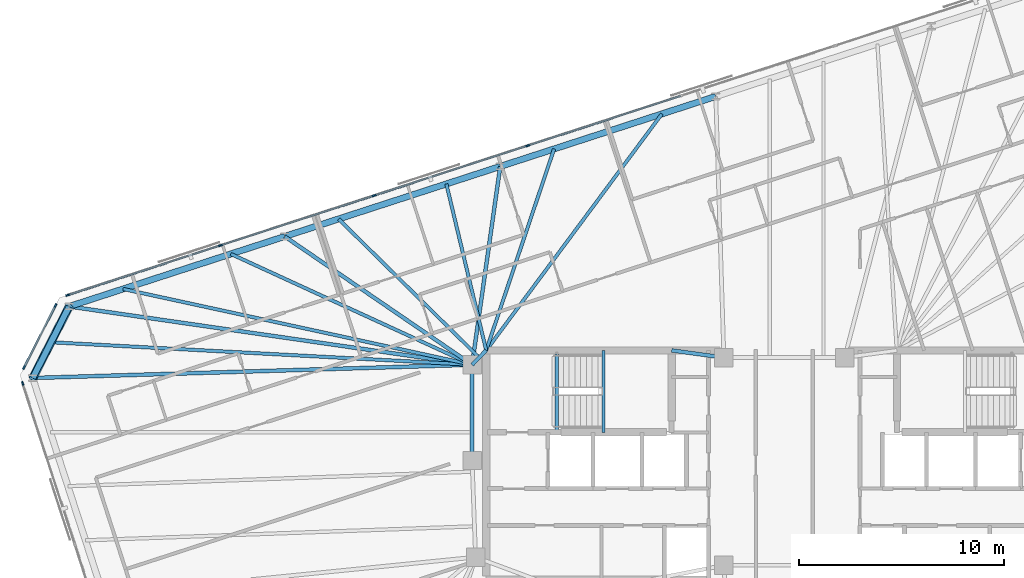
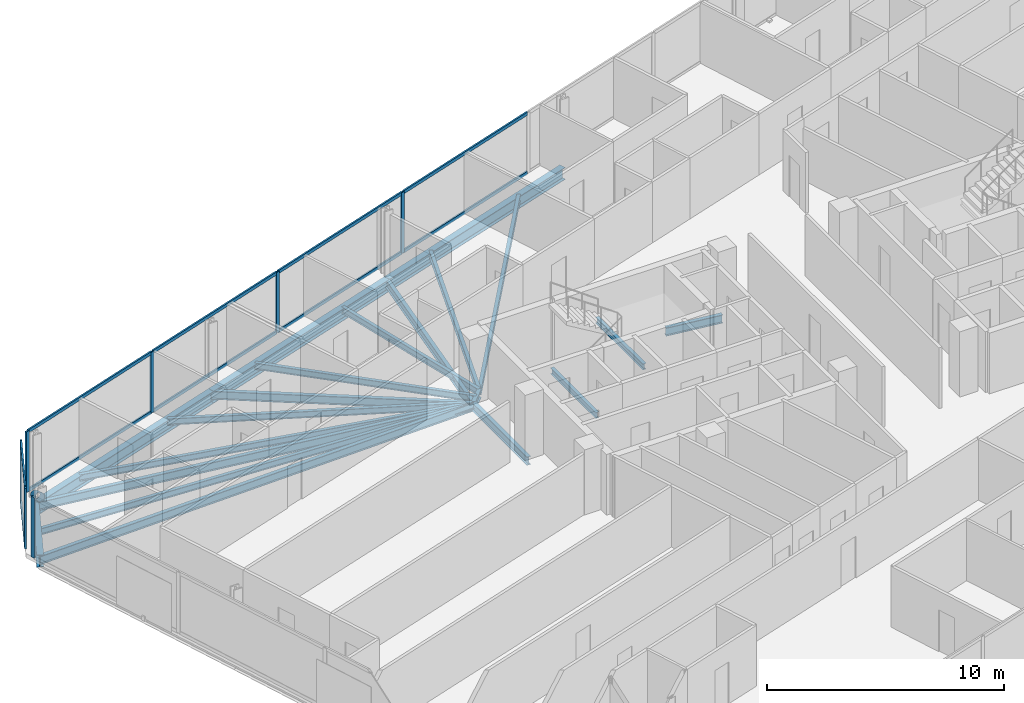
# One storey, part 9 of 20: 20 beams, 18 members, 3 elements without a shape of their own.
"""IFC4 building model written with IfcOpenShell, lengths in metres."""

from ifc_helpers import new_model, si_unit, direction, frame, origin, origin_2d, place, context, subcontext, project, spatial, rectangle, hollow_circle, i_section, extrude, material, material_profile, profile_set, type_object, element, aggregate, save


model = new_model("IFC4")

# Units and contexts
model_context = context("Model", 3, precision=1e-05, world=origin(), true_north=direction((0.0, 1.0)))
body_context = subcontext(model_context, "Body", "Model", "MODEL_VIEW")
ifc_project = project(units=[si_unit("LENGTHUNIT", "METRE"), si_unit("AREAUNIT", "SQUARE_METRE"), si_unit("VOLUMEUNIT", "CUBIC_METRE"), si_unit("PLANEANGLEUNIT", "RADIAN"), si_unit("MASSUNIT", "GRAM", prefix="KILO")], contexts=[model_context])

# Site, building, storey
site_placement = place(None, origin())
site = spatial("IfcSite", under=ifc_project, at=site_placement, CompositionType="ELEMENT")
building_placement = place(site_placement, origin())
building = spatial("IfcBuilding", under=site, at=building_placement, Name="Menara Jurai Vektor", CompositionType="ELEMENT")
storey_placement = place(building_placement, frame((0.0, 0.0, 244.39990234375)))
storey = spatial("IfcBuildingStorey", under=building, at=storey_placement, Name="L65", CompositionType="ELEMENT", Elevation=244.39990234375)

# Curtain wall, members
ifc_material_1 = material(Name="Anodised Pale Aluminium & Low-E Double Glazing", Category="aluminium")
curtain_wall_type = type_object("IfcCurtainWallType", Name="CW-BLK4", PredefinedType="NOTDEFINED", material=ifc_material_1)
curtain_wall_1_placement = place(storey_placement, origin())
curtain_wall_1 = element("IfcCurtainWall", 1, at=curtain_wall_1_placement, inside=storey, type_object=curtain_wall_type, Name="Unitised Curtain Wall L65 F05", PredefinedType="NOTDEFINED")
ifc_material_2 = material(Name="Anodised Pale Aluminium Mullion", Category="aluminium")
ifc_material_profile_1 = material_profile(ifc_material_2, rectangle(XDim=0.080078125, YDim=0.18994140625, at=origin_2d()), Name="ALU MUL 80x190")
ifc_profile_set_1 = profile_set([ifc_material_profile_1], Name="Anodised Pale Aluminium Mullion")
member_type_1 = type_object("IfcMemberType", Name="CW-BLK4-MUL", PredefinedType="MULLION", material=ifc_profile_set_1)
member_1_placement = place(storey_placement, frame((-12.532958984375, 15.601806640625, 0.0), z_axis=(0.0, 0.0, 1.0), x_axis=(0.309017344167, -0.951056402641, 0.0)))
member_1 = element("IfcMember", 2, at=member_1_placement, type_object=member_type_1, Name="CW-04 mullion 5", PredefinedType="MULLION", context=body_context, shape_type="SweptSolid", body=[
    extrude(rectangle(XDim=0.080078125, YDim=0.18994140625, at=origin_2d()), origin(), (0.0, 0.0, 1.0), 3.125),
])
member_2_placement = place(storey_placement, frame((-20.0380859375, 13.163330078125, 0.0), z_axis=(0.0, 0.0, 1.0), x_axis=(0.309017344167, -0.951056402641, 0.0)))
member_2 = element("IfcMember", 3, at=member_2_placement, type_object=member_type_1, Name="CW-04 mullion 6", PredefinedType="MULLION", context=body_context, shape_type="SweptSolid", body=[
    extrude(rectangle(XDim=0.080078125, YDim=0.18994140625, at=origin_2d()), origin(), (0.0, 0.0, 1.0), 3.125),
])
member_3_placement = place(storey_placement, frame((-27.543212890625, 10.724609375, 0.0), z_axis=(0.0, 0.0, 1.0), x_axis=(0.309017344167, -0.951056402641, 0.0)))
member_3 = element("IfcMember", 4, at=member_3_placement, type_object=member_type_1, Name="CW-04 mullion 7", PredefinedType="MULLION", context=body_context, shape_type="SweptSolid", body=[
    extrude(rectangle(XDim=0.080078125, YDim=0.18994140625, at=origin_2d()), origin(), (0.0, 0.0, 1.0), 3.125),
])
member_4_placement = place(storey_placement, frame((-35.010498046875, 8.29833984375, 0.0), z_axis=(0.0, 0.0, 1.0), x_axis=(0.309017344167, -0.951056402641, 0.0)))
member_4 = element("IfcMember", 5, at=member_4_placement, type_object=member_type_1, Name="CW-04 mullion 8", PredefinedType="MULLION", context=body_context, shape_type="SweptSolid", body=[
    extrude(rectangle(XDim=0.080078125, YDim=0.18994140625, at=origin_2d()), origin(), (0.0, 0.0, 1.0), 3.125),
])

curtain_wall_2_placement = place(storey_placement, origin())
curtain_wall_2 = element("IfcCurtainWall", 6, at=curtain_wall_2_placement, inside=storey, type_object=curtain_wall_type, Name="Unitised Curtain Wall L65 F06", PredefinedType="NOTDEFINED")
member_5_placement = place(storey_placement, frame((-35.6005859375, 7.79443359375, 0.0), z_axis=(0.0, 0.0, 1.0), x_axis=(0.89100750243, -0.453988579828, 0.0)))
member_5 = element("IfcMember", 7, at=member_5_placement, type_object=member_type_1, Name="CW-04 mullion 1", PredefinedType="MULLION", context=body_context, shape_type="SweptSolid", body=[
    extrude(rectangle(XDim=0.080078125, YDim=0.18994140625, at=origin_2d()), origin(), (0.0, 0.0, 1.0), 3.125),
])
member_6_placement = place(storey_placement, frame((-37.145263671875, 4.7626953125, 0.0), z_axis=(0.0, 0.0, 1.0), x_axis=(0.89100750243, -0.453988579828, 0.0)))
member_6 = element("IfcMember", 8, at=member_6_placement, type_object=member_type_1, Name="CW-04 mullion 2", PredefinedType="MULLION", context=body_context, shape_type="SweptSolid", body=[
    extrude(rectangle(XDim=0.080078125, YDim=0.18994140625, at=origin_2d()), origin(), (0.0, 0.0, 1.0), 3.125),
])

# Curtain wall, member
curtain_wall_3_placement = place(storey_placement, origin())
curtain_wall_3 = element("IfcCurtainWall", 9, at=curtain_wall_3_placement, inside=storey, type_object=curtain_wall_type, Name="Unitised Curtain Wall L65 F07", PredefinedType="NOTDEFINED")
member_7_placement = place(storey_placement, frame((-37.206298828125, 3.989013671875, 0.0), z_axis=(0.0, 0.0, 1.0), x_axis=(0.95105668295, 0.309016481464, 0.0)))
member_7 = element("IfcMember", 10, at=member_7_placement, type_object=member_type_1, Name="CW-04 mullion 1", PredefinedType="MULLION", context=body_context, shape_type="SweptSolid", body=[
    extrude(rectangle(XDim=0.080078125, YDim=0.18994140625, at=origin_2d()), origin(), (0.0, 0.0, 1.0), 3.125),
])
aggregate(curtain_wall_3, [member_7])

# Member
ifc_material_3 = material(Name="Anodised Pale Aluminium Transom", Category="aluminium")
ifc_material_profile_2 = material_profile(ifc_material_3, rectangle(XDim=0.080078125, YDim=0.1650390625, at=origin_2d()), Name="ALU TRN 80x165")
ifc_profile_set_2 = profile_set([ifc_material_profile_2], Name="Anodised Pale Aluminium Transom")
member_type_2 = type_object("IfcMemberType", Name="CW-BLK4-TRN", PredefinedType="USERDEFINED", material=ifc_profile_set_2)
member_8_placement = place(storey_placement, frame((-5.06591796875, 18.028076171875, 0.0400390625), z_axis=(-0.95105634578, -0.309017519167, 0.0), x_axis=(0.309017519167, -0.95105634578, 0.0)))
member_8 = element("IfcMember", 11, at=member_8_placement, type_object=member_type_2, Name="CW-04 transom 4.1", ObjectType="TRANSOM", PredefinedType="USERDEFINED", context=body_context, shape_type="SweptSolid", body=[
    extrude(rectangle(XDim=0.080078125, YDim=0.1650390625, at=origin_2d()), origin(), (0.0, 0.0, 1.0), 7.811279296875),
])

member_9_placement = place(storey_placement, frame((-5.06591796875, 18.028076171875, 3.085205078125), z_axis=(-0.95105634578, -0.309017519167, 0.0), x_axis=(0.309017519167, -0.95105634578, 0.0)))
member_9 = element("IfcMember", 12, at=member_9_placement, type_object=member_type_2, Name="CW-04 transom 4.2", ObjectType="TRANSOM", PredefinedType="USERDEFINED", context=body_context, shape_type="SweptSolid", body=[
    extrude(rectangle(XDim=0.080078125, YDim=0.1650390625, at=origin_2d()), origin(), (0.0, 0.0, 1.0), 7.811279296875),
])

member_10_placement = place(storey_placement, frame((-12.571044921875, 15.589599609375, 0.0400390625), z_axis=(-0.95104715984, -0.309045789099, 0.0), x_axis=(0.309045789099, -0.95104715984, 0.0)))
member_10 = element("IfcMember", 13, at=member_10_placement, type_object=member_type_2, Name="CW-04 transom 5.1", ObjectType="TRANSOM", PredefinedType="USERDEFINED", context=body_context, shape_type="SweptSolid", body=[
    extrude(rectangle(XDim=0.080078125, YDim=0.1650390625, at=origin_2d()), origin(), (0.0, 0.0, 1.0), 7.811279296875),
])

member_11_placement = place(storey_placement, frame((-12.571044921875, 15.589599609375, 3.085205078125), z_axis=(-0.95104715984, -0.309045789099, 0.0), x_axis=(0.309045789099, -0.95104715984, 0.0)))
member_11 = element("IfcMember", 14, at=member_11_placement, type_object=member_type_2, Name="CW-04 transom 5.2", ObjectType="TRANSOM", PredefinedType="USERDEFINED", context=body_context, shape_type="SweptSolid", body=[
    extrude(rectangle(XDim=0.080078125, YDim=0.1650390625, at=origin_2d()), origin(), (0.0, 0.0, 1.0), 7.811279296875),
])

member_12_placement = place(storey_placement, frame((-20.076171875, 13.15087890625, 0.0400390625), z_axis=(-0.951059330237, -0.309008333817, 0.0), x_axis=(0.309008333817, -0.951059330237, 0.0)))
member_12 = element("IfcMember", 15, at=member_12_placement, type_object=member_type_2, Name="CW-04 transom 6.1", ObjectType="TRANSOM", PredefinedType="USERDEFINED", context=body_context, shape_type="SweptSolid", body=[
    extrude(rectangle(XDim=0.080078125, YDim=0.1650390625, at=origin_2d()), origin(), (0.0, 0.0, 1.0), 7.8115234375),
])

member_13_placement = place(storey_placement, frame((-20.076171875, 13.15087890625, 3.085205078125), z_axis=(-0.951059330237, -0.309008333817, 0.0), x_axis=(0.309008333817, -0.951059330237, 0.0)))
member_13 = element("IfcMember", 16, at=member_13_placement, type_object=member_type_2, Name="CW-04 transom 6.2", ObjectType="TRANSOM", PredefinedType="USERDEFINED", context=body_context, shape_type="SweptSolid", body=[
    extrude(rectangle(XDim=0.080078125, YDim=0.1650390625, at=origin_2d()), origin(), (0.0, 0.0, 1.0), 7.8115234375),
])

member_14_placement = place(storey_placement, frame((-27.581298828125, 10.71240234375, 0.0400390625), z_axis=(-0.951052997543, -0.309027823771, 0.0), x_axis=(0.309027823771, -0.951052997543, 0.0)))
member_14 = element("IfcMember", 17, at=member_14_placement, type_object=member_type_2, Name="CW-04 transom 7.1", ObjectType="TRANSOM", PredefinedType="USERDEFINED", context=body_context, shape_type="SweptSolid", body=[
    extrude(rectangle(XDim=0.080078125, YDim=0.1650390625, at=origin_2d()), origin(), (0.0, 0.0, 1.0), 7.771484375),
])

member_15_placement = place(storey_placement, frame((-27.581298828125, 10.71240234375, 3.085205078125), z_axis=(-0.951052997543, -0.309027823771, 0.0), x_axis=(0.309027823771, -0.951052997543, 0.0)))
member_15 = element("IfcMember", 18, at=member_15_placement, type_object=member_type_2, Name="CW-04 transom 7.2", ObjectType="TRANSOM", PredefinedType="USERDEFINED", context=body_context, shape_type="SweptSolid", body=[
    extrude(rectangle(XDim=0.080078125, YDim=0.1650390625, at=origin_2d()), origin(), (0.0, 0.0, 1.0), 7.771484375),
])

aggregate(curtain_wall_1, [member_1, member_2, member_3, member_4, member_8, member_9, member_10, member_11, member_12, member_13, member_14, member_15])

member_16_placement = place(storey_placement, frame((-35.61865234375, 7.7587890625, 0.0400390625), z_axis=(-0.454019339544, -0.890991828986, 0.0), x_axis=(0.890991828986, -0.454019339544, 0.0)))
member_16 = element("IfcMember", 19, at=member_16_placement, type_object=member_type_2, Name="CW-04 transom 1.1", ObjectType="TRANSOM", PredefinedType="USERDEFINED", context=body_context, shape_type="SweptSolid", body=[
    extrude(rectangle(XDim=0.080078125, YDim=0.1650390625, at=origin_2d()), origin(), (0.0, 0.0, 1.0), 3.32275390625),
])

member_17_placement = place(storey_placement, frame((-35.61865234375, 7.7587890625, 3.085205078125), z_axis=(-0.454019339544, -0.890991828986, 0.0), x_axis=(0.890991828986, -0.454019339544, 0.0)))
member_17 = element("IfcMember", 20, at=member_17_placement, type_object=member_type_2, Name="CW-04 transom 1.2", ObjectType="TRANSOM", PredefinedType="USERDEFINED", context=body_context, shape_type="SweptSolid", body=[
    extrude(rectangle(XDim=0.080078125, YDim=0.1650390625, at=origin_2d()), origin(), (0.0, 0.0, 1.0), 3.32275390625),
])

aggregate(curtain_wall_2, [member_5, member_6, member_16, member_17])

# Beams
ifc_material_4 = material(Name="Steel S355", Category="steel")
ifc_material_profile_3 = material_profile(ifc_material_4, i_section(OverallWidth=0.18505859375, OverallDepth=0.429931640625, WebThickness=0.010986328125, FlangeThickness=0.01806640625, at=origin_2d()), Name="PG 430x185x76")
ifc_profile_set_3 = profile_set([ifc_material_profile_3], Name="Steel S355")
beam_type_1 = type_object("IfcBeamType", Name="STR-BM-430", PredefinedType="BEAM", material=ifc_profile_set_3)
beam_1_placement = place(storey_placement, frame((-15.25, 4.89990234375, -0.43994140625), z_axis=(0.701871936926, 0.712303154672, 0.0), x_axis=(-0.712303154672, 0.701871936926, 0.0)))
element("IfcBeam", 21, at=beam_1_placement, inside=storey, type_object=beam_type_1, Name="Core Ring Header Girder L65-CHW-N1", PredefinedType="BEAM", context=body_context, shape_type="SweptSolid", body=[
    extrude(i_section(OverallWidth=0.18505859375, OverallDepth=0.429931640625, WebThickness=0.010986328125, FlangeThickness=0.01806640625, at=origin_2d()), origin(), (0.0, 0.0, 1.0), 0.98291015625),
])
beam_2_placement = place(storey_placement, frame((-5.5, 5.60009765625, -0.43994140625), z_axis=(0.990706818608, -0.136014703483, 0.0), x_axis=(0.136014703483, 0.990706818608, 0.0)))
element("IfcBeam", 22, at=beam_2_placement, inside=storey, type_object=beam_type_1, Name="Core Ring Header Girder L65-CHW-N2", PredefinedType="BEAM", context=body_context, shape_type="SweptSolid", body=[
    extrude(i_section(OverallWidth=0.18505859375, OverallDepth=0.429931640625, WebThickness=0.010986328125, FlangeThickness=0.01806640625, at=origin_2d()), origin(), (0.0, 0.0, 1.0), 2.573974609375),
])
beam_3_placement = place(storey_placement, frame((-15.25, 0.219970703125, -0.43994140625), z_axis=(0.0, 1.0, 0.0), x_axis=(-1.0, 0.0, 0.0)))
element("IfcBeam", 23, at=beam_3_placement, inside=storey, type_object=beam_type_1, Name="Core Ring Header Girder L65-CHW-W1", PredefinedType="BEAM", context=body_context, shape_type="SweptSolid", body=[
    extrude(i_section(OverallWidth=0.18505859375, OverallDepth=0.429931640625, WebThickness=0.010986328125, FlangeThickness=0.01806640625, at=origin_2d()), origin(), (0.0, 0.0, 1.0), 4.679931640625),
])
beam_4_placement = place(storey_placement, frame((-13.875, 14.58740234375, -0.43994140625), z_axis=(-0.140527035582, -0.990076841599, 0.0), x_axis=(0.990076841599, -0.140527035582, 0.0)))
element("IfcBeam", 24, at=beam_4_placement, inside=storey, type_object=beam_type_1, Name="Radial Floor Girder L65-N4", PredefinedType="BEAM", context=body_context, shape_type="SweptSolid", body=[
    extrude(i_section(OverallWidth=0.18505859375, OverallDepth=0.429931640625, WebThickness=0.010986328125, FlangeThickness=0.01806640625, at=origin_2d()), origin(), (0.0, 0.0, 1.0), 9.78466796875),
])
beam_5_placement = place(storey_placement, frame((-24.404296875, 11.166259765625, -0.43994140625), z_axis=(0.825185786768, -0.564861414257, 0.0), x_axis=(0.564861414257, 0.825185786768, 0.0)))
element("IfcBeam", 25, at=beam_5_placement, inside=storey, type_object=beam_type_1, Name="Radial Floor Girder L65-N5", PredefinedType="BEAM", context=body_context, shape_type="SweptSolid", body=[
    extrude(i_section(OverallWidth=0.18505859375, OverallDepth=0.429931640625, WebThickness=0.010986328125, FlangeThickness=0.01806640625, at=origin_2d()), origin(), (0.0, 0.0, 1.0), 11.093505859375),
])
beam_6_placement = place(storey_placement, frame((-34.93359375, 7.7451171875, -0.43994140625), z_axis=(0.989713916117, -0.14306070126, 0.0), x_axis=(0.14306070126, 0.989713916117, 0.0)))
element("IfcBeam", 26, at=beam_6_placement, inside=storey, type_object=beam_type_1, Name="Radial Floor Girder L65-N6", PredefinedType="BEAM", context=body_context, shape_type="SweptSolid", body=[
    extrude(i_section(OverallWidth=0.18505859375, OverallDepth=0.429931640625, WebThickness=0.010986328125, FlangeThickness=0.01806640625, at=origin_2d()), origin(), (0.0, 0.0, 1.0), 19.88818359375),
])
beam_7_placement = place(storey_placement, frame((-36.71337890625, 4.251953125, -0.43994140625), z_axis=(0.999544635638, 0.030174846589, 0.0), x_axis=(-0.030174846589, 0.999544635638, 0.0)))
element("IfcBeam", 27, at=beam_7_placement, inside=storey, type_object=beam_type_1, Name="Radial Floor Girder L65-W1", PredefinedType="BEAM", context=body_context, shape_type="SweptSolid", body=[
    extrude(i_section(OverallWidth=0.18505859375, OverallDepth=0.429931640625, WebThickness=0.010986328125, FlangeThickness=0.01806640625, at=origin_2d()), origin(), (0.0, 0.0, 1.0), 21.47314453125),
])

# Member
ifc_material_5 = material(Name="Steel S460", Category="steel")
ifc_material_profile_4 = material_profile(ifc_material_5, hollow_circle(Radius=0.203125, WallThickness=0.01611328125, at=origin_2d()), Name="CHS 406.4x16")
ifc_profile_set_4 = profile_set([ifc_material_profile_4], Name="Steel S460")
member_type_3 = type_object("IfcMemberType", Name="STR-BR-406", PredefinedType="BRACE", material=ifc_profile_set_4)
member_18_placement = place(storey_placement, frame((-34.93359375, 7.7451171875, 0.150146484375), z_axis=(-0.377225079071, -0.740375367811, 0.556368182465), x_axis=(0.891013832566, -0.453976155955, 0.0)))
element("IfcMember", 28, at=member_18_placement, inside=storey, type_object=member_type_3, Name="Exoskeleton Corner Brace L65-3", PredefinedType="BRACE", context=body_context, shape_type="SweptSolid", body=[
    extrude(hollow_circle(Radius=0.203125, WallThickness=0.01611328125, at=origin_2d()), origin(), (0.0, 0.0, 1.0), 4.718017578125),
])

# Beams
ifc_material_profile_5 = material_profile(ifc_material_4, i_section(OverallWidth=0.1650390625, OverallDepth=0.330078125, WebThickness=0.009033203125, FlangeThickness=0.013916015625, at=origin_2d()), Name="PG 330x165x46")
ifc_profile_set_5 = profile_set([ifc_material_profile_5], Name="Steel S355")
beam_type_2 = type_object("IfcBeamType", Name="STR-JS-330", PredefinedType="JOIST", material=ifc_profile_set_5)
beam_8_placement = place(storey_placement, frame((-5.97802734375, 17.1533203125, -0.389892578125), z_axis=(-0.59630776033, -0.802755912448, 0.0), x_axis=(0.802755912448, -0.59630776033, 0.0)))
element("IfcBeam", 29, at=beam_8_placement, inside=storey, type_object=beam_type_2, Name="Radial Secondary Floor Joist L65-JS21", PredefinedType="JOIST", context=body_context, shape_type="SweptSolid", body=[
    extrude(i_section(OverallWidth=0.1650390625, OverallDepth=0.330078125, WebThickness=0.009033203125, FlangeThickness=0.013916015625, at=origin_2d()), origin(), (0.0, 0.0, 1.0), 14.391845703125),
])
beam_9_placement = place(storey_placement, frame((-11.24267578125, 15.44287109375, -0.389892578125), z_axis=(-0.319385076217, -0.94762501713, 0.0), x_axis=(0.94762501713, -0.319385076217, 0.0)))
element("IfcBeam", 30, at=beam_9_placement, inside=storey, type_object=beam_type_2, Name="Radial Secondary Floor Joist L65-JS22", PredefinedType="JOIST", context=body_context, shape_type="SweptSolid", body=[
    extrude(i_section(OverallWidth=0.1650390625, OverallDepth=0.330078125, WebThickness=0.009033203125, FlangeThickness=0.013916015625, at=origin_2d()), origin(), (0.0, 0.0, 1.0), 10.38671875),
])
beam_10_placement = place(storey_placement, frame((-16.50732421875, 13.732177734375, -0.389892578125), z_axis=(0.23287158907, -0.972507492518, 0.0), x_axis=(0.972507492518, 0.23287158907, 0.0)))
element("IfcBeam", 31, at=beam_10_placement, inside=storey, type_object=beam_type_2, Name="Radial Secondary Floor Joist L65-JS23", PredefinedType="JOIST", context=body_context, shape_type="SweptSolid", body=[
    extrude(i_section(OverallWidth=0.1650390625, OverallDepth=0.330078125, WebThickness=0.009033203125, FlangeThickness=0.013916015625, at=origin_2d()), origin(), (0.0, 0.0, 1.0), 8.362060546875),
])
beam_11_placement = place(storey_placement, frame((-21.77197265625, 12.021484375, -0.389892578125), z_axis=(0.7121893722, -0.701987391714, 0.0), x_axis=(0.701987391714, 0.7121893722, 0.0)))
element("IfcBeam", 32, at=beam_11_placement, inside=storey, type_object=beam_type_2, Name="Radial Secondary Floor Joist L65-JS24", PredefinedType="JOIST", context=body_context, shape_type="SweptSolid", body=[
    extrude(i_section(OverallWidth=0.1650390625, OverallDepth=0.330078125, WebThickness=0.009033203125, FlangeThickness=0.013916015625, at=origin_2d()), origin(), (0.0, 0.0, 1.0), 9.64404296875),
])
beam_12_placement = place(storey_placement, frame((-27.03662109375, 10.31103515625, -0.389892578125), z_axis=(0.908803804095, -0.417223735738, 0.0), x_axis=(0.417223735738, 0.908803804095, 0.0)))
element("IfcBeam", 33, at=beam_12_placement, inside=storey, type_object=beam_type_2, Name="Radial Secondary Floor Joist L65-JS25", PredefinedType="JOIST", context=body_context, shape_type="SweptSolid", body=[
    extrude(i_section(OverallWidth=0.1650390625, OverallDepth=0.330078125, WebThickness=0.009033203125, FlangeThickness=0.013916015625, at=origin_2d()), origin(), (0.0, 0.0, 1.0), 12.969482421875),
])
beam_13_placement = place(storey_placement, frame((-32.30126953125, 8.600341796875, -0.389892578125), z_axis=(0.977251946396, -0.212081666498, 0.0), x_axis=(0.212081666498, 0.977251946396, 0.0)))
element("IfcBeam", 34, at=beam_13_placement, inside=storey, type_object=beam_type_2, Name="Radial Secondary Floor Joist L65-JS26", PredefinedType="JOIST", context=body_context, shape_type="SweptSolid", body=[
    extrude(i_section(OverallWidth=0.1650390625, OverallDepth=0.330078125, WebThickness=0.009033203125, FlangeThickness=0.013916015625, at=origin_2d()), origin(), (0.0, 0.0, 1.0), 17.4482421875),
])
beam_14_placement = place(storey_placement, frame((-35.823486328125, 5.99853515625, -0.389892578125), z_axis=(0.998577239708, -0.053324444086, 0.0), x_axis=(0.053324444086, 0.998577239708, 0.0)))
element("IfcBeam", 35, at=beam_14_placement, inside=storey, type_object=beam_type_2, Name="Radial Secondary Floor Joist L65-JS27", PredefinedType="JOIST", context=body_context, shape_type="SweptSolid", body=[
    extrude(i_section(OverallWidth=0.1650390625, OverallDepth=0.330078125, WebThickness=0.009033203125, FlangeThickness=0.013916015625, at=origin_2d()), origin(), (0.0, 0.0, 1.0), 20.602783203125),
])
ifc_material_profile_6 = material_profile(ifc_material_4, i_section(OverallWidth=0.1650390625, OverallDepth=0.302978515625, WebThickness=0.006103515625, FlangeThickness=0.010009765625, FilletRadius=0.009033203125, at=origin_2d()), Name="UKB 305x165x40")
ifc_profile_set_6 = profile_set([ifc_material_profile_6], Name="Steel S355")
beam_type_3 = type_object("IfcBeamType", Name="STR-LN-305", PredefinedType="LINTEL", material=ifc_profile_set_6)
beam_15_placement = place(storey_placement, frame((-11.1201171875, 1.60009765625, -0.37646484375), z_axis=(0.0, 1.0, 0.0), x_axis=(-1.0, 0.0, 0.0)))
element("IfcBeam", 36, at=beam_15_placement, inside=storey, type_object=beam_type_3, Name="Stair Well Floor Trimmer ST1 L65", PredefinedType="LINTEL", context=body_context, shape_type="SweptSolid", body=[
    extrude(i_section(OverallWidth=0.1650390625, OverallDepth=0.302978515625, WebThickness=0.006103515625, FlangeThickness=0.010009765625, FilletRadius=0.009033203125, at=origin_2d()), origin(), (0.0, 0.0, 1.0), 3.81982421875),
])
beam_16_placement = place(storey_placement, frame((-8.830078125, 1.60009765625, 1.323486328125), z_axis=(0.0, 1.0, 0.0), x_axis=(-1.0, 0.0, 0.0)))
element("IfcBeam", 37, at=beam_16_placement, inside=storey, type_object=beam_type_3, Name="Stair Half-Landing Nosing Trimmer ST1-1 L65", PredefinedType="LINTEL", context=body_context, shape_type="SweptSolid", body=[
    extrude(i_section(OverallWidth=0.1650390625, OverallDepth=0.302978515625, WebThickness=0.006103515625, FlangeThickness=0.010009765625, FilletRadius=0.009033203125, at=origin_2d()), origin(), (0.0, 0.0, 1.0), 4.0),
])
ifc_material_profile_7 = material_profile(ifc_material_4, i_section(OverallWidth=0.306884765625, OverallDepth=0.6201171875, WebThickness=0.013916015625, FlangeThickness=0.02392578125, FilletRadius=0.01708984375, at=origin_2d()), Name="UKB 610x305x179")
ifc_profile_set_7 = profile_set([ifc_material_profile_7], Name="Steel S355")
beam_type_4 = type_object("IfcBeamType", Name="STR-SP-610", PredefinedType="SPANDREL", material=ifc_profile_set_7)
for number, where, z_axis, x_axis, name in (
    (38, (-3.345703125, 18.008544921875, -0.534912109375), (-0.951057401967, -0.309014268544, 0.0), (0.309014268544, -0.951057401967, 0.0), "Exoskeleton Spandrel Beam L65-13"),
    (39, (-13.875, 14.58740234375, -0.534912109375), (-0.951057401967, -0.309014268544, 0.0), (0.309014268544, -0.951057401967, 0.0), "Exoskeleton Spandrel Beam L65-14"),
    (40, (-24.404296875, 11.166259765625, -0.534912109375), (-0.951057401967, -0.309014268544, 0.0), (0.309014268544, -0.951057401967, 0.0), "Exoskeleton Spandrel Beam L65-15"),
):
    element("IfcBeam", number, at=place(storey_placement, frame(where, z_axis=z_axis, x_axis=x_axis)), inside=storey, type_object=beam_type_4, Name=name, PredefinedType="SPANDREL", context=body_context, shape_type="SweptSolid", body=[
        extrude(i_section(OverallWidth=0.306884765625, OverallDepth=0.6201171875, WebThickness=0.013916015625, FlangeThickness=0.02392578125, FilletRadius=0.01708984375, at=origin_2d()), origin(), (0.0, 0.0, 1.0), 11.071044921875),
    ])
beam_17_placement = place(storey_placement, frame((-34.93359375, 7.7451171875, -0.534912109375), z_axis=(-0.453976155955, -0.891013832566, 0.0), x_axis=(0.891013832566, -0.453976155955, 0.0)))
element("IfcBeam", 41, at=beam_17_placement, inside=storey, type_object=beam_type_4, Name="Exoskeleton Spandrel Beam L65-16", PredefinedType="SPANDREL", context=body_context, shape_type="SweptSolid", body=[
    extrude(i_section(OverallWidth=0.306884765625, OverallDepth=0.6201171875, WebThickness=0.013916015625, FlangeThickness=0.02392578125, FilletRadius=0.01708984375, at=origin_2d()), origin(), (0.0, 0.0, 1.0), 3.92041015625),
])

save(model, "model.ifc")
